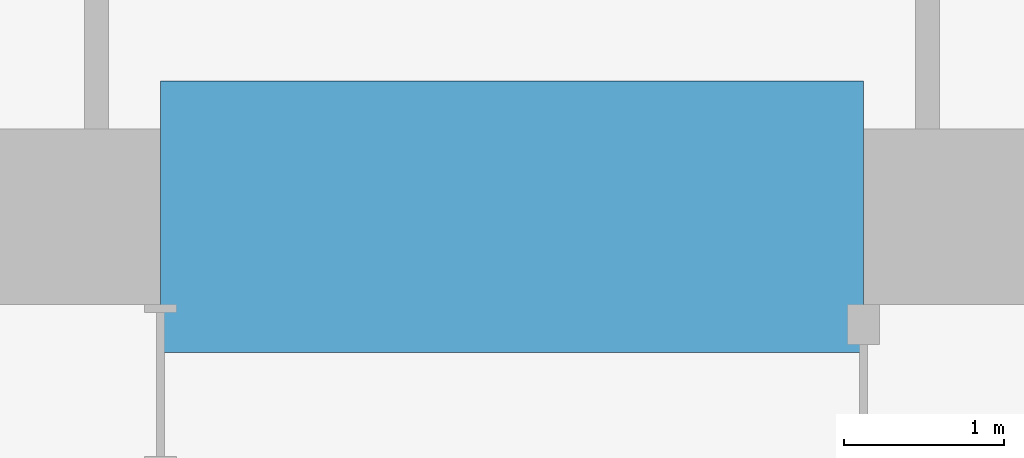
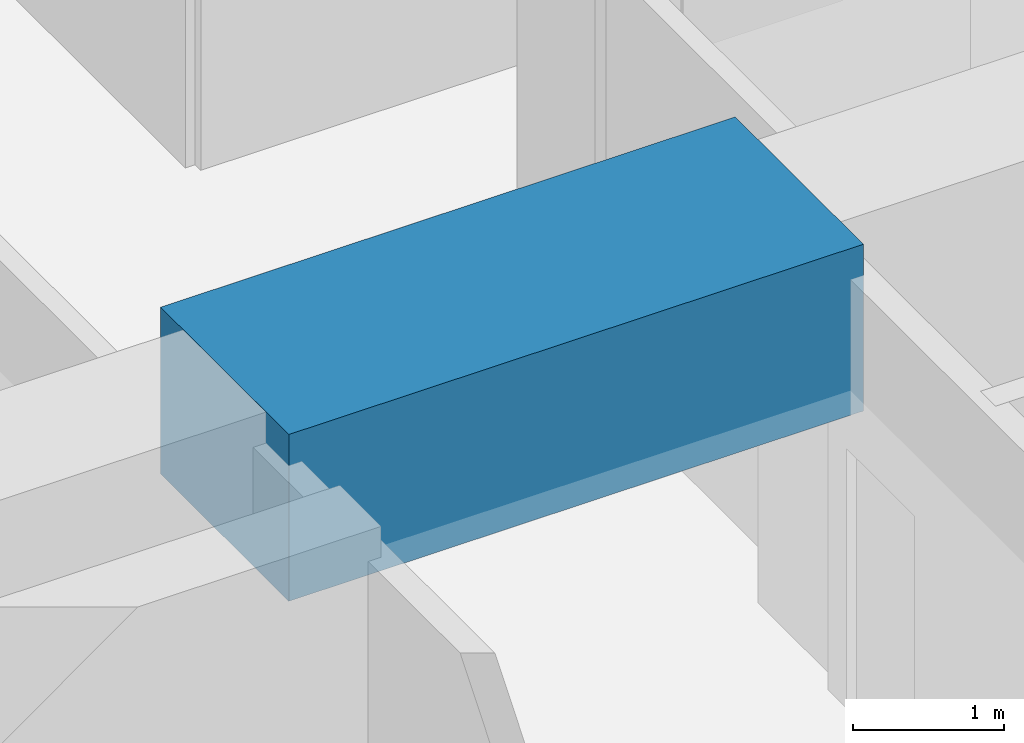
# One storey, part 19 of 42: 1 beam.
"""IFC4 building model written with IfcOpenShell, lengths in metres."""

from ifc_helpers import new_model, si_unit, direction, frame, origin, origin_2d, place, context, subcontext, project, spatial, rectangle, extrude, material, material_profile, profile_set, type_object, element, save


model = new_model("IFC4")

# Units and contexts
model_context = context("Model", 3, precision=1e-05, world=origin(), true_north=direction((0.0, 1.0)))
body_context = subcontext(model_context, "Body", "Model", "MODEL_VIEW")
ifc_project = project(units=[si_unit("LENGTHUNIT", "METRE"), si_unit("AREAUNIT", "SQUARE_METRE"), si_unit("VOLUMEUNIT", "CUBIC_METRE"), si_unit("PLANEANGLEUNIT", "RADIAN"), si_unit("MASSUNIT", "GRAM", prefix="KILO")], contexts=[model_context])

# Site, building, storey
site_placement = place(None, origin())
site = spatial("IfcSite", under=ifc_project, at=site_placement, CompositionType="ELEMENT")
building_placement = place(site_placement, origin())
building = spatial("IfcBuilding", under=site, at=building_placement, Name="Rekha Terrace Tower", CompositionType="ELEMENT")
storey_placement = place(building_placement, frame((0.0, 0.0, 40.39990234375)))
storey = spatial("IfcBuildingStorey", under=building, at=storey_placement, Name="L09", CompositionType="ELEMENT", Elevation=40.39990234375)

# Beam
ifc_material = material(Name="Concrete M70", Category="concrete")
ifc_material_profile = material_profile(ifc_material, rectangle(XDim=1.699951171875, YDim=1.35009765625, at=origin_2d()), Name="RC 1700x1350")
ifc_profile_set = profile_set([ifc_material_profile], Name="Concrete M70")
beam_type = type_object("IfcBeamType", Name="LB1A 1700x1350 diagonally reinforced coupling beam", PredefinedType="LINTEL", material=ifc_profile_set)
beam_placement = place(storey_placement, frame((35.60009765625, 46.199951171875, 3.0751953125), z_axis=(1.0, 0.0, 0.0), x_axis=(0.0, 1.0, 0.0)))
element("IfcBeam", 1, at=beam_placement, inside=storey, type_object=beam_type, Name="Coupling beam LB1A N L09", PredefinedType="LINTEL", context=body_context, shape_type="SweptSolid", body=[
    extrude(rectangle(XDim=1.699951171875, YDim=1.35009765625, at=origin_2d()), origin(), (0.0, 0.0, 1.0), 4.39990234375),
])

save(model, "model.ifc")
